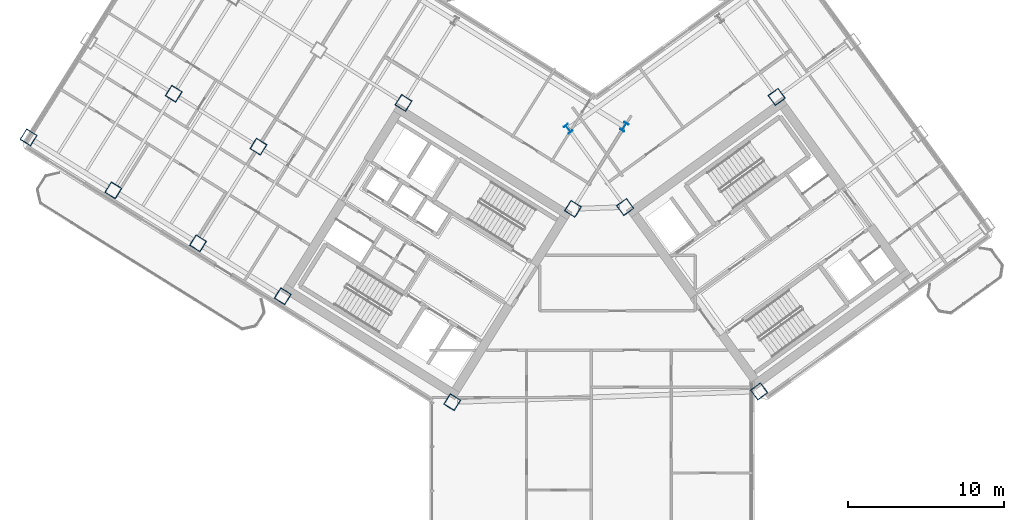
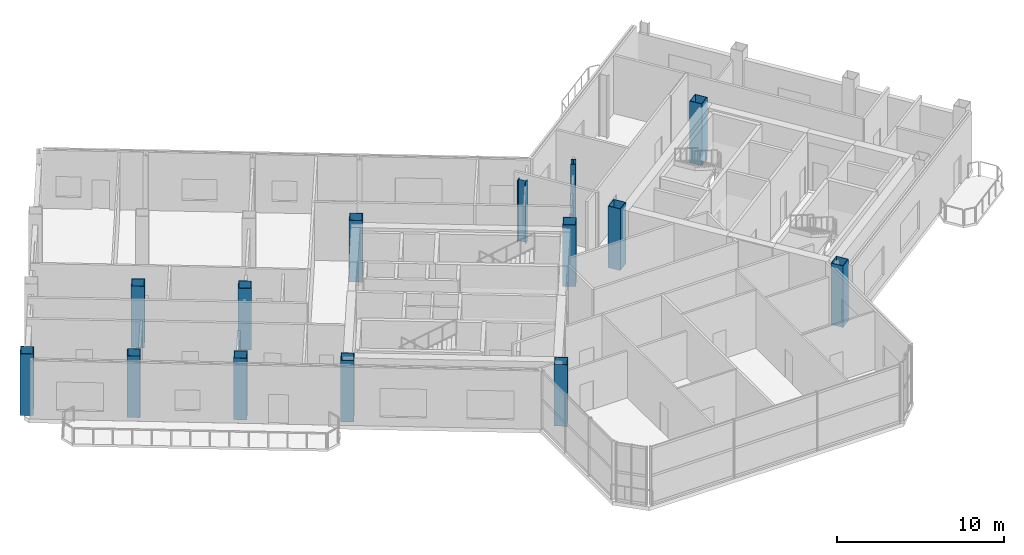
# One storey, part 1 of 21: 14 columns.
"""IFC4 building model written with IfcOpenShell, lengths in metres."""

from ifc_helpers import new_model, si_unit, direction, frame, origin, origin_2d, place, context, subcontext, project, spatial, hollow_rectangle, i_section, extrude, source, transform, mapped, material, material_profile, profile_set, type_object, element, save


model = new_model("IFC4")

# Units and contexts
model_context = context("Model", 3, precision=1e-05, world=origin(), true_north=direction((0.0, 1.0)))
body_context = subcontext(model_context, "Body", "Model", "MODEL_VIEW")
ifc_project = project(units=[si_unit("LENGTHUNIT", "METRE"), si_unit("AREAUNIT", "SQUARE_METRE"), si_unit("VOLUMEUNIT", "CUBIC_METRE"), si_unit("PLANEANGLEUNIT", "RADIAN"), si_unit("MASSUNIT", "GRAM", prefix="KILO")], contexts=[model_context])

# Site, building, storey
site_placement = place(None, origin())
site = spatial("IfcSite", under=ifc_project, at=site_placement, CompositionType="ELEMENT")
building_placement = place(site_placement, origin())
building = spatial("IfcBuilding", under=site, at=building_placement, Name="Tlacorven Tower", CompositionType="ELEMENT")
storey_placement = place(building_placement, frame((0.0, 0.0, 199.5)))
storey = spatial("IfcBuildingStorey", under=building, at=storey_placement, Name="L50", CompositionType="ELEMENT", Elevation=199.5)

# Columns
ifc_material = material(Name="Steel S460M", Category="steel")
ifc_material_profile_1 = material_profile(ifc_material, i_section(OverallWidth=0.300048828125, OverallDepth=0.550048828125, WebThickness=0.014892578125, FlangeThickness=0.029052734375, at=origin_2d()), Name="HEB 550")
ifc_profile_set_1 = profile_set([ifc_material_profile_1], Name="Steel S460M")
column_type_1 = type_object("IfcColumnType", Name="COL-TWR-P2", PredefinedType="COLUMN", material=ifc_profile_set_1)
shared_shape_1 = source(origin(), body_context, "Body", "SweptSolid", [
    extrude(i_section(OverallWidth=0.300048828125, OverallDepth=0.550048828125, WebThickness=0.014892578125, FlangeThickness=0.029052734375, at=origin_2d()), origin(), (0.0, 0.0, 1.0), 4.5),
])
for number, where, z_axis, x_axis, name in (
    (1, (44.068359375, 29.726318359375, 0.0), (0.0, 0.0, 1.0), (-0.848048096156, 0.529919264233, 0.0), "L50 column COL-L50-W1-1"),
    (2, (40.4794921875, 29.60107421875, 0.0), (0.0, 0.0, 1.0), (0.809016994375, 0.587785252292, 0.0), "L50 column COL-L50-E1-4"),
):
    element("IfcColumn", number, at=place(storey_placement, frame(where, z_axis=z_axis, x_axis=x_axis)), inside=storey, type_object=column_type_1, Name=name, PredefinedType="COLUMN", context=body_context, shape_type="MappedRepresentation", body=[
        mapped(shared_shape_1, transform((0.0, 0.0, 0.0), scale=1.0)),
    ])
ifc_material_profile_2 = material_profile(ifc_material, hollow_rectangle(XDim=0.800048828125, YDim=0.800048828125, WallThickness=0.031982421875, at=origin_2d()), Name="BOX 800X800X32")
ifc_profile_set_2 = profile_set([ifc_material_profile_2], Name="Steel S460M")
column_type_2 = type_object("IfcColumnType", Name="COL-TWR-S3", PredefinedType="COLUMN", material=ifc_profile_set_2)
shared_shape_2 = source(origin(), body_context, "Body", "SweptSolid", [
    extrude(hollow_rectangle(XDim=0.800048828125, YDim=0.800048828125, WallThickness=0.031982421875, at=origin_2d()), origin(), (0.0, 0.0, 1.0), 4.5),
])
for number, where, z_axis, x_axis, name in (
    (3, (40.782958984375, 24.468505859375, 0.0), (0.0, 0.0, 1.0), (-0.848048096156, 0.529919264233, 0.0), "L50 column COL-L50-W1-2"),
    (4, (33.046142578125, 12.0869140625, 0.0), (0.0, 0.0, 1.0), (-0.848048096156, 0.529919264233, 0.0), "L50 column COL-L50-W1-4"),
    (5, (29.927978515625, 31.25146484375, 0.0), (0.0, 0.0, 1.0), (-0.848048096156, 0.529919264233, 0.0), "L50 column COL-L50-W3-2"),
    (6, (22.191162109375, 18.869873046875, 0.0), (0.0, 0.0, 1.0), (-0.848048096156, 0.529919264233, 0.0), "L50 column COL-L50-W3-4"),
    (7, (20.632080078125, 28.4521484375, 0.0), (0.0, 0.0, 1.0), (-0.848048096156, 0.529919264233, 0.0), "L50 column COL-L50-W4-3"),
    (8, (16.763671875, 22.26123046875, 0.0), (0.0, 0.0, 1.0), (-0.848048096156, 0.529919264233, 0.0), "L50 column COL-L50-W4-4"),
    (9, (15.20458984375, 31.843505859375, 0.0), (0.0, 0.0, 1.0), (-0.848048096156, 0.529919264233, 0.0), "L50 column COL-L50-W5-3"),
    (10, (11.336181640625, 25.65283203125, 0.0), (0.0, 0.0, 1.0), (-0.848048096156, 0.529919264233, 0.0), "L50 column COL-L50-W5-4"),
    (11, (5.90869140625, 29.044189453125, 0.0), (0.0, 0.0, 1.0), (-0.848048096156, 0.529919264233, 0.0), "L50 column COL-L50-W6-4"),
    (12, (52.705322265625, 12.7734375, 0.0), (0.0, 0.0, 1.0), (0.809016994375, 0.587785252292, 0.0), "L50 column COL-L50-E1-1"),
    (13, (44.123779296875, 24.5849609375, 0.0), (0.0, 0.0, 1.0), (0.809016994375, 0.587785252292, 0.0), "L50 column COL-L50-E1-3"),
    (14, (53.83203125, 31.638427734375, 0.0), (0.0, 0.0, 1.0), (0.809016994375, 0.587785252292, 0.0), "L50 column COL-L50-E3-3"),
):
    element("IfcColumn", number, at=place(storey_placement, frame(where, z_axis=z_axis, x_axis=x_axis)), inside=storey, type_object=column_type_2, Name=name, PredefinedType="COLUMN", context=body_context, shape_type="MappedRepresentation", body=[
        mapped(shared_shape_2, transform((0.0, 0.0, 0.0), scale=1.0)),
    ])

save(model, "model.ifc")
